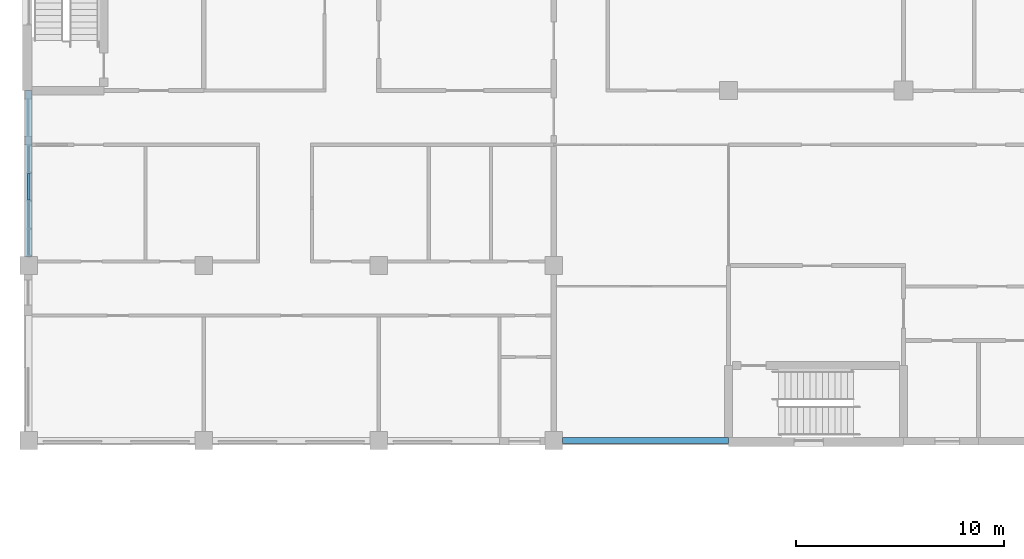
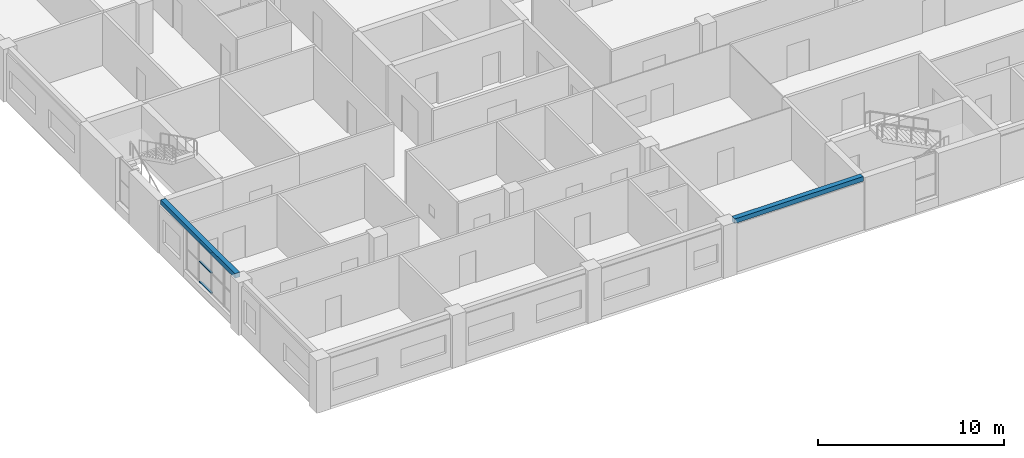
# One storey, part 14 of 94: 3 members, 2 beams, 1 element without a shape of its own.
"""IFC4 building model written with IfcOpenShell, lengths in metres."""

from ifc_helpers import new_model, si_unit, direction, frame, origin, origin_2d, place, context, subcontext, project, spatial, rectangle, extrude, material, material_profile, profile_set, type_object, element, aggregate, save


model = new_model("IFC4")

# Units and contexts
model_context = context("Model", 3, precision=1e-05, world=origin(), true_north=direction((0.0, 1.0)))
body_context = subcontext(model_context, "Body", "Model", "MODEL_VIEW")
ifc_project = project(units=[si_unit("LENGTHUNIT", "METRE"), si_unit("AREAUNIT", "SQUARE_METRE"), si_unit("VOLUMEUNIT", "CUBIC_METRE"), si_unit("PLANEANGLEUNIT", "RADIAN"), si_unit("MASSUNIT", "GRAM", prefix="KILO")], contexts=[model_context])

# Site, building, storey
site_placement = place(None, origin())
site = spatial("IfcSite", under=ifc_project, at=site_placement, CompositionType="ELEMENT")
building_placement = place(site_placement, origin())
building = spatial("IfcBuilding", under=site, at=building_placement, Name="Yavir Park General Hospital", CompositionType="ELEMENT")
storey_placement = place(building_placement, frame((0.0, 0.0, 4.5)))
storey = spatial("IfcBuildingStorey", under=building, at=storey_placement, Name="L01", CompositionType="ELEMENT", Elevation=4.5)

# Beams
ifc_material_1 = material(Name="Concrete C35/45", Category="concrete")
ifc_material_profile_1 = material_profile(ifc_material_1, rectangle(XDim=0.300048828125, YDim=0.300048828125, at=origin_2d()), Name="RC300x300")
ifc_profile_set_1 = profile_set([ifc_material_profile_1], Name="Concrete C35/45")
beam_type = type_object("IfcBeamType", Name="RC BEAM 300x300 edge beam", PredefinedType="BEAM", material=ifc_profile_set_1)
for number, where, z_axis, x_axis, name in (
    (1, (25.625, 0.0, 3.300048828125), (1.0, 0.0, 0.0), (0.0, 1.0, 0.0), "B:EDGE:L01:004"),
    (2, (0.0, 8.824951171875, 3.300048828125), (0.0, 1.0, 0.0), (-1.0, 0.0, 0.0), "B:EDGE:L01:031"),
):
    element("IfcBeam", number, at=place(storey_placement, frame(where, z_axis=z_axis, x_axis=x_axis)), inside=storey, type_object=beam_type, Name=name, PredefinedType="BEAM", context=body_context, shape_type="SweptSolid", body=[
        extrude(rectangle(XDim=0.300048828125, YDim=0.300048828125, at=origin_2d()), origin(), (0.0, 0.0, 1.0), 7.97509765625),
    ])

# Curtain wall, members
ifc_material_2 = material(Name="Aluminium curtain wall frame with insulated glazing", Category="aluminium")
curtain_wall_type = type_object("IfcCurtainWallType", Name="Waiting area glazing, 2700 high, 1400 module", PredefinedType="NOTDEFINED", material=ifc_material_2)
curtain_wall_placement = place(storey_placement, origin())
curtain_wall = element("IfcCurtainWall", 3, at=curtain_wall_placement, inside=storey, type_object=curtain_wall_type, Name="CW16 L01-015", PredefinedType="NOTDEFINED")
ifc_material_3 = material(Name="Aluminium", Category="aluminium")
ifc_material_profile_2 = material_profile(ifc_material_3, rectangle(XDim=0.1201171875, YDim=0.06005859375, at=origin_2d()), Name="AL 120x60")
ifc_profile_set_2 = profile_set([ifc_material_profile_2], Name="Aluminium")
member_type = type_object("IfcMemberType", Name="Waiting area glazing, 2700 high transom 60 x 120", PredefinedType="MULLION", material=ifc_profile_set_2)
member_1_placement = place(storey_placement, frame((0.0, 11.54248046875, 0.47998046875), z_axis=(0.0, 1.0, 0.0), x_axis=(-1.0, 0.0, 0.0)))
member_1 = element("IfcMember", 4, at=member_1_placement, type_object=member_type, Name="CW16 transom 3.1", PredefinedType="MULLION", context=body_context, shape_type="SweptSolid", body=[
    extrude(rectangle(XDim=0.1201171875, YDim=0.06005859375, at=origin_2d()), origin(), (0.0, 0.0, 1.0), 1.28369140625),
])
member_2_placement = place(storey_placement, frame((0.0, 11.54248046875, 1.800048828125), z_axis=(0.0, 1.0, 0.0), x_axis=(-1.0, 0.0, 0.0)))
member_2 = element("IfcMember", 5, at=member_2_placement, type_object=member_type, Name="CW16 transom 3.2", PredefinedType="MULLION", context=body_context, shape_type="SweptSolid", body=[
    extrude(rectangle(XDim=0.1201171875, YDim=0.06005859375, at=origin_2d()), origin(), (0.0, 0.0, 1.0), 1.28369140625),
])
member_3_placement = place(storey_placement, frame((0.0, 11.54248046875, 3.1201171875), z_axis=(0.0, 1.0, 0.0), x_axis=(-1.0, 0.0, 0.0)))
member_3 = element("IfcMember", 6, at=member_3_placement, type_object=member_type, Name="CW16 transom 3.3", PredefinedType="MULLION", context=body_context, shape_type="SweptSolid", body=[
    extrude(rectangle(XDim=0.1201171875, YDim=0.06005859375, at=origin_2d()), origin(), (0.0, 0.0, 1.0), 1.28369140625),
])
aggregate(curtain_wall, [member_1, member_2, member_3])

save(model, "model.ifc")
